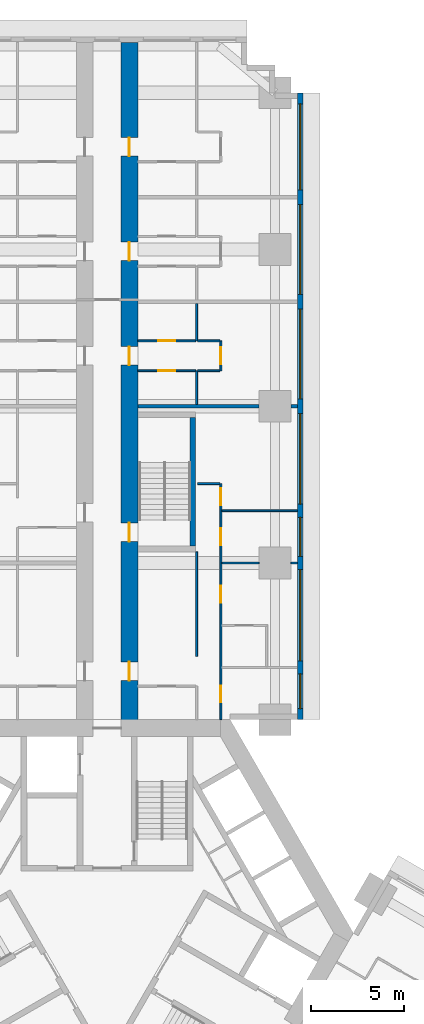
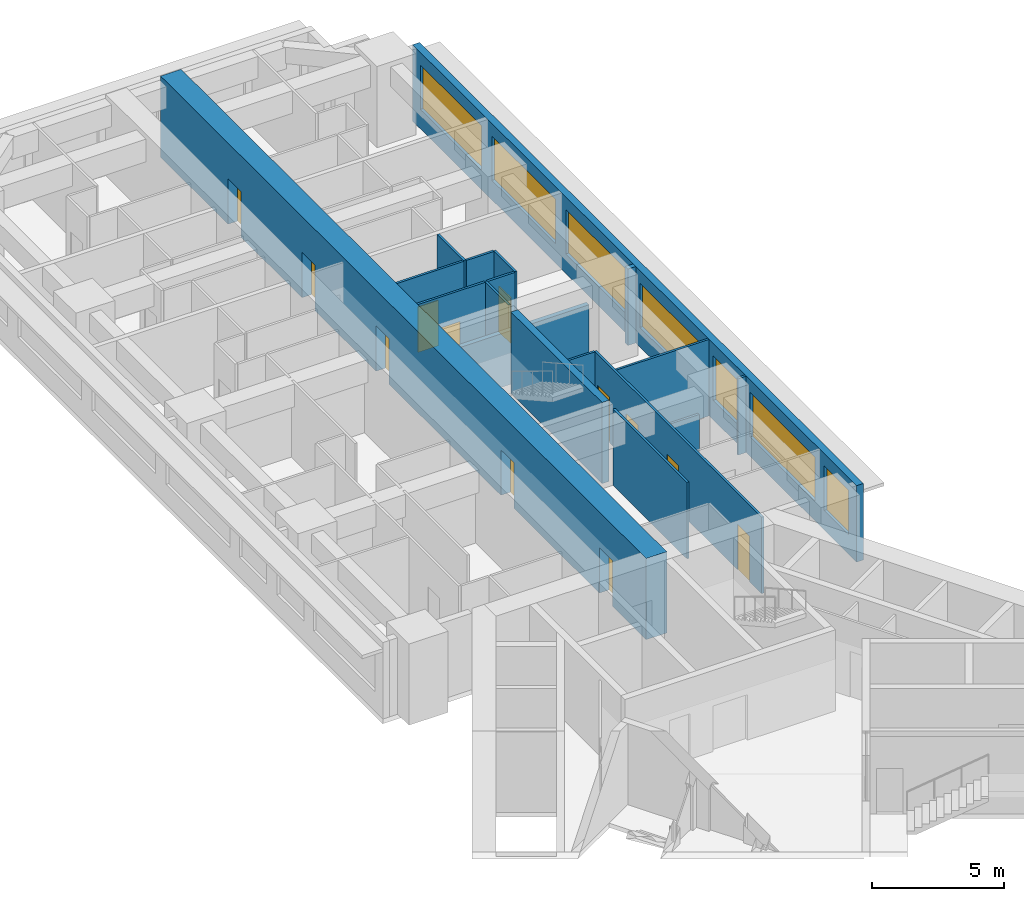
# One storey, part 10 of 16: 18 walls, 12 doors, 7 windows, 19 openings.
"""IFC4 building model written with IfcOpenShell, lengths in metres."""

from ifc_helpers import new_model, si_unit, direction, frame, frame_2d, origin, place, context, subcontext, project, spatial, rectangle, extrude, material, layer, layer_set, type_object, element, fill, save


model = new_model("IFC4")

# Units and contexts
model_context = context("Model", 3, precision=1e-05, world=origin(), true_north=direction((0.0, 1.0)))
body_context = subcontext(model_context, "Body", "Model", "MODEL_VIEW")
ifc_project = project(units=[si_unit("LENGTHUNIT", "METRE"), si_unit("AREAUNIT", "SQUARE_METRE"), si_unit("VOLUMEUNIT", "CUBIC_METRE"), si_unit("PLANEANGLEUNIT", "RADIAN"), si_unit("MASSUNIT", "GRAM", prefix="KILO")], contexts=[model_context])

# Site, building, storey
site_placement = place(None, origin())
site = spatial("IfcSite", under=ifc_project, at=site_placement, CompositionType="ELEMENT")
building_placement = place(site_placement, origin())
building = spatial("IfcBuilding", under=site, at=building_placement, Name="Impinga Residences", CompositionType="ELEMENT")
storey_placement = place(building_placement, frame((0.0, 0.0, 48.5)))
storey = spatial("IfcBuildingStorey", under=building, at=storey_placement, Name="L11", CompositionType="ELEMENT", Elevation=48.5)

# Wall, openings, doors
ifc_material_1 = material(Name="Concrete C70/85", Category="concrete")
ifc_layer_1 = layer(ifc_material_1, 0.89990234375)
ifc_layer_set_1 = layer_set([ifc_layer_1], Name="Concrete C70/85")
wall_type_1 = type_object("IfcWallType", Name="BW1 corridor buttress wall, L05 to L22 900", PredefinedType="SHEAR", material=ifc_layer_set_1)
wall_1_placement = place(storey_placement, frame((1.199951171875, 10.9814453125, 0.0), z_axis=(0.0, 0.0, 1.0), x_axis=(0.0, 1.0, 0.0)))
wall_1 = element("IfcWall", 1, at=wall_1_placement, inside=storey, type_object=wall_type_1, Name="Corridor wall BW1 ND L11", PredefinedType="SHEAR", context=body_context, shape_type="SweptSolid", body=[
    extrude(rectangle(XDim=36.75, YDim=0.89990234375, at=frame_2d((18.375, 0.0))), origin(), (0.0, 0.0, 1.0), 3.75),
])
opening_1_placement = place(wall_1_placement, frame((10.0, 0.0, 0.0)))
opening_1 = element("IfcOpeningElement", 2, at=opening_1_placement, cuts=wall_1, Name="Opening D5", PredefinedType="OPENING", context=body_context, shape_type="SweptSolid", body=[
    extrude(rectangle(XDim=1.0, YDim=2.10009765625, at=frame_2d((0.5, 1.050048828125))), frame((0.0, 0.4599609375, 0.0), z_axis=(0.0, -1.0, 0.0), x_axis=(1.0, 0.0, 0.0)), (0.0, 0.0, 1.0), 0.919921875),
])
opening_2_placement = place(wall_1_placement, frame((2.550048828125, 0.0, 0.0)))
opening_2 = element("IfcOpeningElement", 3, at=opening_2_placement, cuts=wall_1, Name="Opening D1", PredefinedType="OPENING", context=body_context, shape_type="SweptSolid", body=[
    extrude(rectangle(XDim=1.0, YDim=2.10009765625, at=frame_2d((0.5, 1.050048828125))), frame((0.0, 0.4599609375, 0.0), z_axis=(0.0, -1.0, 0.0), x_axis=(1.0, 0.0, 0.0)), (0.0, 0.0, 1.0), 0.919921875),
])
opening_3_placement = place(wall_1_placement, frame((19.449951171875, 0.0, 0.0)))
opening_3 = element("IfcOpeningElement", 4, at=opening_3_placement, cuts=wall_1, Name="Opening D1", PredefinedType="OPENING", context=body_context, shape_type="SweptSolid", body=[
    extrude(rectangle(XDim=1.0, YDim=2.10009765625, at=frame_2d((0.5, 1.050048828125))), frame((0.0, 0.4599609375, 0.0), z_axis=(0.0, -1.0, 0.0), x_axis=(1.0, 0.0, 0.0)), (0.0, 0.0, 1.0), 0.919921875),
])
opening_4_placement = place(wall_1_placement, frame((25.050048828125, 0.0, 0.0)))
opening_4 = element("IfcOpeningElement", 5, at=opening_4_placement, cuts=wall_1, Name="Opening D1", PredefinedType="OPENING", context=body_context, shape_type="SweptSolid", body=[
    extrude(rectangle(XDim=1.0, YDim=2.10009765625, at=frame_2d((0.5, 1.050048828125))), frame((0.0, 0.4599609375, 0.0), z_axis=(0.0, -1.0, 0.0), x_axis=(1.0, 0.0, 0.0)), (0.0, 0.0, 1.0), 0.919921875),
])
opening_5_placement = place(wall_1_placement, frame((30.64990234375, 0.0, 0.0)))
opening_5 = element("IfcOpeningElement", 6, at=opening_5_placement, cuts=wall_1, Name="Opening D1", PredefinedType="OPENING", context=body_context, shape_type="SweptSolid", body=[
    extrude(rectangle(XDim=1.0, YDim=2.10009765625, at=frame_2d((0.5, 1.050048828125))), frame((0.0, 0.4599609375, 0.0), z_axis=(0.0, -1.0, 0.0), x_axis=(1.0, 0.0, 0.0)), (0.0, 0.0, 1.0), 0.919921875),
])
ifc_material_2 = material(Name="Timber door set", Category="wood")
door_type_1 = type_object("IfcDoorType", Name="D1 apartment entrance door 1000x2100", OperationType="SINGLE_SWING_LEFT", PredefinedType="DOOR", material=ifc_material_2)
door_1_placement = place(opening_2_placement, origin())
door_1 = element("IfcDoor", 7, at=door_1_placement, inside=storey, type_object=door_type_1, Name="Apartment L11-NF1 entrance", OperationType="SINGLE_SWING_LEFT", OverallHeight=2.10009765625, OverallWidth=1.0, PredefinedType="DOOR", context=body_context, shape_type="SweptSolid", body=[
    extrude(rectangle(XDim=1.0, YDim=2.10009765625, at=frame_2d((0.5, 1.050048828125))), frame((0.0, 0.02490234375, 0.0), z_axis=(0.0, -1.0, 0.0), x_axis=(1.0, 0.0, 0.0)), (0.0, 0.0, 1.0), 0.050048828125),
])
fill(opening_2, door_1)
door_2_placement = place(opening_3_placement, origin())
door_2 = element("IfcDoor", 8, at=door_2_placement, inside=storey, type_object=door_type_1, Name="Apartment L11-NF2 entrance", OperationType="SINGLE_SWING_RIGHT", OverallHeight=2.10009765625, OverallWidth=1.0, PredefinedType="DOOR", context=body_context, shape_type="SweptSolid", body=[
    extrude(rectangle(XDim=1.0, YDim=2.10009765625, at=frame_2d((0.5, 1.050048828125))), frame((0.0, 0.02490234375, 0.0), z_axis=(0.0, -1.0, 0.0), x_axis=(1.0, 0.0, 0.0)), (0.0, 0.0, 1.0), 0.050048828125),
])
fill(opening_3, door_2)
door_3_placement = place(opening_4_placement, origin())
door_3 = element("IfcDoor", 9, at=door_3_placement, inside=storey, type_object=door_type_1, Name="Apartment L11-NF3 entrance", OperationType="SINGLE_SWING_RIGHT", OverallHeight=2.10009765625, OverallWidth=1.0, PredefinedType="DOOR", context=body_context, shape_type="SweptSolid", body=[
    extrude(rectangle(XDim=1.0, YDim=2.10009765625, at=frame_2d((0.5, 1.050048828125))), frame((0.0, 0.02490234375, 0.0), z_axis=(0.0, -1.0, 0.0), x_axis=(1.0, 0.0, 0.0)), (0.0, 0.0, 1.0), 0.050048828125),
])
fill(opening_4, door_3)
door_4_placement = place(opening_5_placement, origin())
door_4 = element("IfcDoor", 10, at=door_4_placement, inside=storey, type_object=door_type_1, Name="Apartment L11-NF4 entrance", OperationType="SINGLE_SWING_RIGHT", OverallHeight=2.10009765625, OverallWidth=1.0, PredefinedType="DOOR", context=body_context, shape_type="SweptSolid", body=[
    extrude(rectangle(XDim=1.0, YDim=2.10009765625, at=frame_2d((0.5, 1.050048828125))), frame((0.0, 0.02490234375, 0.0), z_axis=(0.0, -1.0, 0.0), x_axis=(1.0, 0.0, 0.0)), (0.0, 0.0, 1.0), 0.050048828125),
])
fill(opening_5, door_4)
door_type_2 = type_object("IfcDoorType", Name="D5 stair door 1000x2100", OperationType="SINGLE_SWING_LEFT", PredefinedType="DOOR", material=ifc_material_2)
door_5_placement = place(opening_1_placement, origin())
door_5 = element("IfcDoor", 11, at=door_5_placement, inside=storey, type_object=door_type_2, Name="Wing stair door N", OperationType="SINGLE_SWING_LEFT", OverallHeight=2.10009765625, OverallWidth=1.0, PredefinedType="DOOR", context=body_context, shape_type="SweptSolid", body=[
    extrude(rectangle(XDim=1.0, YDim=2.10009765625, at=frame_2d((0.5, 1.050048828125))), frame((0.0, 0.02490234375, 0.0), z_axis=(0.0, -1.0, 0.0), x_axis=(1.0, 0.0, 0.0)), (0.0, 0.0, 1.0), 0.050048828125),
])
fill(opening_1, door_5)

# Wall, openings, windows
ifc_material_3 = material(Name="Terracotta rainscreen on blockwork", Category="masonry")
ifc_layer_2 = layer(ifc_material_3, 0.300048828125)
ifc_layer_set_2 = layer_set([ifc_layer_2], Name="EW1 external wall, terracotta rainscreen on blockwork 300")
wall_type_2 = type_object("IfcWallType", Name="EW1 external wall, terracotta rainscreen on blockwork 300", PredefinedType="SOLIDWALL", material=ifc_layer_set_2)
wall_2_placement = place(storey_placement, frame((10.35009765625, 45.031494140625, 0.0), z_axis=(0.0, 0.0, 1.0), x_axis=(0.0, -1.0, 0.0)))
wall_2 = element("IfcWall", 12, at=wall_2_placement, inside=storey, type_object=wall_type_2, Name="External wall EW1 L11", PredefinedType="SOLIDWALL", context=body_context, shape_type="SweptSolid", body=[
    extrude(rectangle(XDim=33.599853515625, YDim=0.300048828125, at=frame_2d((16.7998046875, 0.0))), origin(), (0.0, 0.0, 1.0), 3.530029296875),
])
opening_6_placement = place(wall_2_placement, frame((0.60009765625, 0.0, 0.89990234375)))
opening_6 = element("IfcOpeningElement", 13, at=opening_6_placement, cuts=wall_2, Name="Opening W3", PredefinedType="OPENING", context=body_context, shape_type="SweptSolid", body=[
    extrude(rectangle(XDim=4.60009765625, YDim=2.050048828125, at=frame_2d((2.300048828125, 1.02490234375))), frame((0.0, 0.159912109375, 0.0), z_axis=(0.0, -1.0, 0.0), x_axis=(1.0, 0.0, 0.0)), (0.0, 0.0, 1.0), 0.320068359375),
])
opening_7_placement = place(wall_2_placement, frame((6.0, 0.0, 0.89990234375)))
opening_7 = element("IfcOpeningElement", 14, at=opening_7_placement, cuts=wall_2, Name="Opening W8", PredefinedType="OPENING", context=body_context, shape_type="SweptSolid", body=[
    extrude(rectangle(XDim=4.800048828125, YDim=2.050048828125, at=frame_2d((2.39990234375, 1.02490234375))), frame((0.0, 0.159912109375, 0.0), z_axis=(0.0, -1.0, 0.0), x_axis=(1.0, 0.0, 0.0)), (0.0, 0.0, 1.0), 0.320068359375),
])
opening_8_placement = place(wall_2_placement, frame((11.60009765625, 0.0, 0.89990234375)))
opening_8 = element("IfcOpeningElement", 15, at=opening_8_placement, cuts=wall_2, Name="Opening W8", PredefinedType="OPENING", context=body_context, shape_type="SweptSolid", body=[
    extrude(rectangle(XDim=4.800048828125, YDim=2.050048828125, at=frame_2d((2.39990234375, 1.02490234375))), frame((0.0, 0.159912109375, 0.0), z_axis=(0.0, -1.0, 0.0), x_axis=(1.0, 0.0, 0.0)), (0.0, 0.0, 1.0), 0.320068359375),
])
opening_9_placement = place(wall_2_placement, frame((17.199951171875, 0.0, 0.89990234375)))
opening_9 = element("IfcOpeningElement", 16, at=opening_9_placement, cuts=wall_2, Name="Opening W6", PredefinedType="OPENING", context=body_context, shape_type="SweptSolid", body=[
    extrude(rectangle(XDim=4.85009765625, YDim=2.050048828125, at=frame_2d((2.425048828125, 1.02490234375))), frame((0.0, 0.159912109375, 0.0), z_axis=(0.0, -1.0, 0.0), x_axis=(1.0, 0.0, 0.0)), (0.0, 0.0, 1.0), 0.320068359375),
])
opening_10_placement = place(wall_2_placement, frame((22.75, 0.0, 0.89990234375)))
opening_10 = element("IfcOpeningElement", 17, at=opening_10_placement, cuts=wall_2, Name="Opening W9", PredefinedType="OPENING", context=body_context, shape_type="SweptSolid", body=[
    extrude(rectangle(XDim=2.10009765625, YDim=2.050048828125, at=frame_2d((1.050048828125, 1.02490234375))), frame((0.0, 0.159912109375, 0.0), z_axis=(0.0, -1.0, 0.0), x_axis=(1.0, 0.0, 0.0)), (0.0, 0.0, 1.0), 0.320068359375),
])
opening_11_placement = place(wall_2_placement, frame((25.550048828125, 0.0, 0.89990234375)))
opening_11 = element("IfcOpeningElement", 18, at=opening_11_placement, cuts=wall_2, Name="Opening W16", PredefinedType="OPENING", context=body_context, shape_type="SweptSolid", body=[
    extrude(rectangle(XDim=4.89990234375, YDim=2.050048828125, at=frame_2d((2.449951171875, 1.02490234375))), frame((0.0, 0.159912109375, 0.0), z_axis=(0.0, -1.0, 0.0), x_axis=(1.0, 0.0, 0.0)), (0.0, 0.0, 1.0), 0.320068359375),
])
opening_12_placement = place(wall_2_placement, frame((31.14990234375, 0.0, 0.89990234375)))
opening_12 = element("IfcOpeningElement", 19, at=opening_12_placement, cuts=wall_2, Name="Opening W15", PredefinedType="OPENING", context=body_context, shape_type="SweptSolid", body=[
    extrude(rectangle(XDim=1.85009765625, YDim=2.050048828125, at=frame_2d((0.925048828125, 1.02490234375))), frame((0.0, 0.159912109375, 0.0), z_axis=(0.0, -1.0, 0.0), x_axis=(1.0, 0.0, 0.0)), (0.0, 0.0, 1.0), 0.320068359375),
])
ifc_material_4 = material(Name="Aluminium window, clear double glazing", Category="aluminium")
window_type_1 = type_object("IfcWindowType", Name="W15 ribbon window 1850x2050", PartitioningType="SINGLE_PANEL", PredefinedType="WINDOW", material=ifc_material_4)
window_1_placement = place(opening_12_placement, origin())
window_1 = element("IfcWindow", 20, at=window_1_placement, inside=storey, type_object=window_type_1, Name="Window L11", OverallHeight=2.050048828125, OverallWidth=1.85009765625, PartitioningType="SINGLE_PANEL", PredefinedType="WINDOW", context=body_context, shape_type="SweptSolid", body=[
    extrude(rectangle(XDim=1.85009765625, YDim=2.050048828125, at=frame_2d((0.925048828125, 1.02490234375))), frame((0.0, 0.030029296875, 0.0), z_axis=(0.0, -1.0, 0.0), x_axis=(1.0, 0.0, 0.0)), (0.0, 0.0, 1.0), 0.06005859375),
])
fill(opening_12, window_1)
window_type_2 = type_object("IfcWindowType", Name="W16 ribbon window 4900x2050", PartitioningType="SINGLE_PANEL", PredefinedType="WINDOW", material=ifc_material_4)
window_2_placement = place(opening_11_placement, origin())
window_2 = element("IfcWindow", 21, at=window_2_placement, inside=storey, type_object=window_type_2, Name="Window L11", OverallHeight=2.050048828125, OverallWidth=4.89990234375, PartitioningType="SINGLE_PANEL", PredefinedType="WINDOW", context=body_context, shape_type="SweptSolid", body=[
    extrude(rectangle(XDim=4.89990234375, YDim=2.050048828125, at=frame_2d((2.449951171875, 1.02490234375))), frame((0.0, 0.030029296875, 0.0), z_axis=(0.0, -1.0, 0.0), x_axis=(1.0, 0.0, 0.0)), (0.0, 0.0, 1.0), 0.06005859375),
])
fill(opening_11, window_2)
window_type_3 = type_object("IfcWindowType", Name="W3 ribbon window 4600x2050", PartitioningType="SINGLE_PANEL", PredefinedType="WINDOW", material=ifc_material_4)
window_3_placement = place(opening_6_placement, origin())
window_3 = element("IfcWindow", 22, at=window_3_placement, inside=storey, type_object=window_type_3, Name="Window L11", OverallHeight=2.050048828125, OverallWidth=4.60009765625, PartitioningType="SINGLE_PANEL", PredefinedType="WINDOW", context=body_context, shape_type="SweptSolid", body=[
    extrude(rectangle(XDim=4.60009765625, YDim=2.050048828125, at=frame_2d((2.300048828125, 1.02490234375))), frame((0.0, 0.030029296875, 0.0), z_axis=(0.0, -1.0, 0.0), x_axis=(1.0, 0.0, 0.0)), (0.0, 0.0, 1.0), 0.06005859375),
])
fill(opening_6, window_3)
window_type_4 = type_object("IfcWindowType", Name="W6 ribbon window 4850x2050", PartitioningType="SINGLE_PANEL", PredefinedType="WINDOW", material=ifc_material_4)
window_4_placement = place(opening_9_placement, origin())
window_4 = element("IfcWindow", 23, at=window_4_placement, inside=storey, type_object=window_type_4, Name="Window L11", OverallHeight=2.050048828125, OverallWidth=4.85009765625, PartitioningType="SINGLE_PANEL", PredefinedType="WINDOW", context=body_context, shape_type="SweptSolid", body=[
    extrude(rectangle(XDim=4.85009765625, YDim=2.050048828125, at=frame_2d((2.425048828125, 1.02490234375))), frame((0.0, 0.030029296875, 0.0), z_axis=(0.0, -1.0, 0.0), x_axis=(1.0, 0.0, 0.0)), (0.0, 0.0, 1.0), 0.06005859375),
])
fill(opening_9, window_4)
window_type_5 = type_object("IfcWindowType", Name="W8 ribbon window 4800x2050", PartitioningType="SINGLE_PANEL", PredefinedType="WINDOW", material=ifc_material_4)
window_5_placement = place(opening_7_placement, origin())
window_5 = element("IfcWindow", 24, at=window_5_placement, inside=storey, type_object=window_type_5, Name="Window L11", OverallHeight=2.050048828125, OverallWidth=4.800048828125, PartitioningType="SINGLE_PANEL", PredefinedType="WINDOW", context=body_context, shape_type="SweptSolid", body=[
    extrude(rectangle(XDim=4.800048828125, YDim=2.050048828125, at=frame_2d((2.39990234375, 1.02490234375))), frame((0.0, 0.030029296875, 0.0), z_axis=(0.0, -1.0, 0.0), x_axis=(1.0, 0.0, 0.0)), (0.0, 0.0, 1.0), 0.06005859375),
])
fill(opening_7, window_5)
window_6_placement = place(opening_8_placement, origin())
window_6 = element("IfcWindow", 25, at=window_6_placement, inside=storey, type_object=window_type_5, Name="Window L11", OverallHeight=2.050048828125, OverallWidth=4.800048828125, PartitioningType="SINGLE_PANEL", PredefinedType="WINDOW", context=body_context, shape_type="SweptSolid", body=[
    extrude(rectangle(XDim=4.800048828125, YDim=2.050048828125, at=frame_2d((2.39990234375, 1.02490234375))), frame((0.0, 0.030029296875, 0.0), z_axis=(0.0, -1.0, 0.0), x_axis=(1.0, 0.0, 0.0)), (0.0, 0.0, 1.0), 0.06005859375),
])
fill(opening_8, window_6)
window_type_6 = type_object("IfcWindowType", Name="W9 ribbon window 2100x2050", PartitioningType="SINGLE_PANEL", PredefinedType="WINDOW", material=ifc_material_4)
window_7_placement = place(opening_10_placement, origin())
window_7 = element("IfcWindow", 26, at=window_7_placement, inside=storey, type_object=window_type_6, Name="Window L11", OverallHeight=2.050048828125, OverallWidth=2.10009765625, PartitioningType="SINGLE_PANEL", PredefinedType="WINDOW", context=body_context, shape_type="SweptSolid", body=[
    extrude(rectangle(XDim=2.10009765625, YDim=2.050048828125, at=frame_2d((1.050048828125, 1.02490234375))), frame((0.0, 0.030029296875, 0.0), z_axis=(0.0, -1.0, 0.0), x_axis=(1.0, 0.0, 0.0)), (0.0, 0.0, 1.0), 0.06005859375),
])
fill(opening_10, window_7)

# Wall
ifc_material_5 = material(Name="Gypsum board on steel studs", Category="steel")
ifc_layer_3 = layer(ifc_material_5, 0.10009765625)
ifc_layer_set_3 = layer_set([ifc_layer_3], Name="Gypsum board on steel studs")
wall_type_3 = type_object("IfcWallType", Name="IP1 partition 100", PredefinedType="PARTITIONING", material=ifc_layer_set_3)
wall_3_placement = place(storey_placement, frame((4.800048828125, 14.83154296875, 0.0), z_axis=(0.0, 0.0, 1.0), x_axis=(0.0, 1.0, 0.0)))
element("IfcWall", 27, at=wall_3_placement, inside=storey, type_object=wall_type_3, Name="Partition L11-NF1:DIV1", PredefinedType="PARTITIONING", context=body_context, shape_type="SweptSolid", body=[
    extrude(rectangle(XDim=5.60009765625, YDim=0.10009765625, at=frame_2d((2.800048828125, 0.0))), origin(), (0.0, 0.0, 1.0), 3.530029296875),
])

# Wall, openings, doors
wall_4_placement = place(storey_placement, frame((6.10009765625, 11.431640625, 0.0), z_axis=(0.0, 0.0, 1.0), x_axis=(0.0, 1.0, 0.0)))
wall_4 = element("IfcWall", 28, at=wall_4_placement, inside=storey, type_object=wall_type_3, Name="Partition L11-NF1:STRIP", PredefinedType="PARTITIONING", context=body_context, shape_type="SweptSolid", body=[
    extrude(rectangle(XDim=12.64990234375, YDim=0.10009765625, at=frame_2d((6.324951171875, 0.0))), origin(), (0.0, 0.0, 1.0), 3.530029296875),
])
opening_13_placement = place(wall_4_placement, frame((0.925048828125, 0.0, 0.0)))
opening_13 = element("IfcOpeningElement", 29, at=opening_13_placement, cuts=wall_4, Name="Opening D2", PredefinedType="OPENING", context=body_context, shape_type="SweptSolid", body=[
    extrude(rectangle(XDim=0.89990234375, YDim=2.10009765625, at=frame_2d((0.449951171875, 1.050048828125))), frame((0.0, 0.06005859375, 0.0), z_axis=(0.0, -1.0, 0.0), x_axis=(1.0, 0.0, 0.0)), (0.0, 0.0, 1.0), 0.1201171875),
])
opening_14_placement = place(wall_4_placement, frame((6.27490234375, 0.0, 0.0)))
opening_14 = element("IfcOpeningElement", 30, at=opening_14_placement, cuts=wall_4, Name="Opening D2", PredefinedType="OPENING", context=body_context, shape_type="SweptSolid", body=[
    extrude(rectangle(XDim=0.89990234375, YDim=2.10009765625, at=frame_2d((0.449951171875, 1.050048828125))), frame((0.0, 0.06005859375, 0.0), z_axis=(0.0, -1.0, 0.0), x_axis=(1.0, 0.0, 0.0)), (0.0, 0.0, 1.0), 0.1201171875),
])
opening_15_placement = place(wall_4_placement, frame((9.35009765625, 0.0, 0.0)))
opening_15 = element("IfcOpeningElement", 31, at=opening_15_placement, cuts=wall_4, Name="Opening D2", PredefinedType="OPENING", context=body_context, shape_type="SweptSolid", body=[
    extrude(rectangle(XDim=0.89990234375, YDim=2.10009765625, at=frame_2d((0.449951171875, 1.050048828125))), frame((0.0, 0.06005859375, 0.0), z_axis=(0.0, -1.0, 0.0), x_axis=(1.0, 0.0, 0.0)), (0.0, 0.0, 1.0), 0.1201171875),
])
opening_16_placement = place(wall_4_placement, frame((11.5, 0.0, 0.0)))
opening_16 = element("IfcOpeningElement", 32, at=opening_16_placement, cuts=wall_4, Name="Opening D2", PredefinedType="OPENING", context=body_context, shape_type="SweptSolid", body=[
    extrude(rectangle(XDim=0.89990234375, YDim=2.10009765625, at=frame_2d((0.449951171875, 1.050048828125))), frame((0.0, 0.06005859375, 0.0), z_axis=(0.0, -1.0, 0.0), x_axis=(1.0, 0.0, 0.0)), (0.0, 0.0, 1.0), 0.1201171875),
])
door_type_3 = type_object("IfcDoorType", Name="D2 internal door 900x2100", OperationType="SINGLE_SWING_LEFT", PredefinedType="DOOR", material=ifc_material_2)
door_6_placement = place(opening_13_placement, origin())
door_6 = element("IfcDoor", 33, at=door_6_placement, inside=storey, type_object=door_type_3, Name="Apartment L11-NF1 room door", OperationType="SINGLE_SWING_LEFT", OverallHeight=2.10009765625, OverallWidth=0.89990234375, PredefinedType="DOOR", context=body_context, shape_type="SweptSolid", body=[
    extrude(rectangle(XDim=0.89990234375, YDim=2.10009765625, at=frame_2d((0.449951171875, 1.050048828125))), frame((0.0, 0.02490234375, 0.0), z_axis=(0.0, -1.0, 0.0), x_axis=(1.0, 0.0, 0.0)), (0.0, 0.0, 1.0), 0.050048828125),
])
fill(opening_13, door_6)
door_7_placement = place(opening_14_placement, origin())
door_7 = element("IfcDoor", 34, at=door_7_placement, inside=storey, type_object=door_type_3, Name="Apartment L11-NF1 room door", OperationType="SINGLE_SWING_RIGHT", OverallHeight=2.10009765625, OverallWidth=0.89990234375, PredefinedType="DOOR", context=body_context, shape_type="SweptSolid", body=[
    extrude(rectangle(XDim=0.89990234375, YDim=2.10009765625, at=frame_2d((0.449951171875, 1.050048828125))), frame((0.0, 0.02490234375, 0.0), z_axis=(0.0, -1.0, 0.0), x_axis=(1.0, 0.0, 0.0)), (0.0, 0.0, 1.0), 0.050048828125),
])
fill(opening_14, door_7)
door_8_placement = place(opening_15_placement, origin())
door_8 = element("IfcDoor", 35, at=door_8_placement, inside=storey, type_object=door_type_3, Name="Apartment L11-NF1 room door", OperationType="SINGLE_SWING_RIGHT", OverallHeight=2.10009765625, OverallWidth=0.89990234375, PredefinedType="DOOR", context=body_context, shape_type="SweptSolid", body=[
    extrude(rectangle(XDim=0.89990234375, YDim=2.10009765625, at=frame_2d((0.449951171875, 1.050048828125))), frame((0.0, 0.02490234375, 0.0), z_axis=(0.0, -1.0, 0.0), x_axis=(1.0, 0.0, 0.0)), (0.0, 0.0, 1.0), 0.050048828125),
])
fill(opening_15, door_8)
door_9_placement = place(opening_16_placement, origin())
door_9 = element("IfcDoor", 36, at=door_9_placement, inside=storey, type_object=door_type_3, Name="Apartment L11-NF1 room door", OperationType="SINGLE_SWING_RIGHT", OverallHeight=2.10009765625, OverallWidth=0.89990234375, PredefinedType="DOOR", context=body_context, shape_type="SweptSolid", body=[
    extrude(rectangle(XDim=0.89990234375, YDim=2.10009765625, at=frame_2d((0.449951171875, 1.050048828125))), frame((0.0, 0.02490234375, 0.0), z_axis=(0.0, -1.0, 0.0), x_axis=(1.0, 0.0, 0.0)), (0.0, 0.0, 1.0), 0.050048828125),
])
fill(opening_16, door_9)

# Walls
wall_5_placement = place(storey_placement, frame((4.85009765625, 24.08154296875, 0.0), z_axis=(0.0, 0.0, 1.0), x_axis=(1.0, 0.0, 0.0)))
element("IfcWall", 37, at=wall_5_placement, inside=storey, type_object=wall_type_3, Name="Partition L11-NF1:SE1", PredefinedType="PARTITIONING", context=body_context, shape_type="SweptSolid", body=[
    extrude(rectangle(XDim=1.199951171875, YDim=0.10009765625, at=frame_2d((0.60009765625, 0.0))), origin(), (0.0, 0.0, 1.0), 3.530029296875),
])
wall_6_placement = place(storey_placement, frame((6.14990234375, 19.83154296875, 0.0), z_axis=(0.0, 0.0, 1.0), x_axis=(1.0, 0.0, 0.0)))
element("IfcWall", 38, at=wall_6_placement, inside=storey, type_object=wall_type_3, Name="Partition L11-NF1:OB2", PredefinedType="PARTITIONING", context=body_context, shape_type="SweptSolid", body=[
    extrude(rectangle(XDim=2.0, YDim=0.10009765625, at=frame_2d((1.0, 0.0))), origin(), (0.0, 0.0, 1.0), 2.47998046875),
])
wall_7_placement = place(storey_placement, frame((9.85009765625, 19.83154296875, 0.0), z_axis=(0.0, 0.0, 1.0), x_axis=(1.0, 0.0, 0.0)))
element("IfcWall", 39, at=wall_7_placement, inside=storey, type_object=wall_type_3, Name="Partition L11-NF1:OB2b", PredefinedType="PARTITIONING", context=body_context, shape_type="SweptSolid", body=[
    extrude(rectangle(XDim=0.349853515625, YDim=0.10009765625, at=frame_2d((0.1748046875, 0.0))), origin(), (0.0, 0.0, 1.0), 3.530029296875),
])
wall_8_placement = place(storey_placement, frame((6.14990234375, 22.631591796875, 0.0), z_axis=(0.0, 0.0, 1.0), x_axis=(1.0, 0.0, 0.0)))
element("IfcWall", 40, at=wall_8_placement, inside=storey, type_object=wall_type_3, Name="Partition L11-NF1:OB3", PredefinedType="PARTITIONING", context=body_context, shape_type="SweptSolid", body=[
    extrude(rectangle(XDim=4.050048828125, YDim=0.10009765625, at=frame_2d((2.02490234375, 0.0))), origin(), (0.0, 0.0, 1.0), 3.530029296875),
])
wall_9_placement = place(storey_placement, frame((4.800048828125, 28.33154296875, 0.0), z_axis=(0.0, 0.0, 1.0), x_axis=(0.0, 1.0, 0.0)))
element("IfcWall", 41, at=wall_9_placement, inside=storey, type_object=wall_type_3, Name="Partition L11-NF2:DIV0", PredefinedType="PARTITIONING", context=body_context, shape_type="SweptSolid", body=[
    extrude(rectangle(XDim=1.800048828125, YDim=0.10009765625, at=frame_2d((0.89990234375, 0.0))), origin(), (0.0, 0.0, 1.0), 3.530029296875),
])
wall_10_placement = place(storey_placement, frame((4.800048828125, 31.7314453125, 0.0), z_axis=(0.0, 0.0, 1.0), x_axis=(0.0, 1.0, 0.0)))
element("IfcWall", 42, at=wall_10_placement, inside=storey, type_object=wall_type_3, Name="Partition L11-NF2:DIV1", PredefinedType="PARTITIONING", context=body_context, shape_type="SweptSolid", body=[
    extrude(rectangle(XDim=2.0, YDim=0.10009765625, at=frame_2d((1.0, 0.0))), origin(), (0.0, 0.0, 1.0), 3.530029296875),
])

# Wall, opening, door
wall_11_placement = place(storey_placement, frame((6.10009765625, 30.131591796875, 0.0), z_axis=(0.0, 0.0, 1.0), x_axis=(0.0, 1.0, 0.0)))
wall_11 = element("IfcWall", 43, at=wall_11_placement, inside=storey, type_object=wall_type_3, Name="Partition L11-NF2:STRIP", PredefinedType="PARTITIONING", context=body_context, shape_type="SweptSolid", body=[
    extrude(rectangle(XDim=1.599853515625, YDim=0.10009765625, at=frame_2d((0.7998046875, 0.0))), origin(), (0.0, 0.0, 1.0), 3.530029296875),
])
opening_17_placement = place(wall_11_placement, frame((0.35009765625, 0.0, 0.0)))
opening_17 = element("IfcOpeningElement", 44, at=opening_17_placement, cuts=wall_11, Name="Opening D2", PredefinedType="OPENING", context=body_context, shape_type="SweptSolid", body=[
    extrude(rectangle(XDim=0.89990234375, YDim=2.10009765625, at=frame_2d((0.449951171875, 1.050048828125))), frame((0.0, 0.06005859375, 0.0), z_axis=(0.0, -1.0, 0.0), x_axis=(1.0, 0.0, 0.0)), (0.0, 0.0, 1.0), 0.1201171875),
])
door_10_placement = place(opening_17_placement, origin())
door_10 = element("IfcDoor", 45, at=door_10_placement, inside=storey, type_object=door_type_3, Name="Apartment L11-NF2 room door", OperationType="SINGLE_SWING_LEFT", OverallHeight=2.10009765625, OverallWidth=0.89990234375, PredefinedType="DOOR", context=body_context, shape_type="SweptSolid", body=[
    extrude(rectangle(XDim=0.89990234375, YDim=2.10009765625, at=frame_2d((0.449951171875, 1.050048828125))), frame((0.0, 0.02490234375, 0.0), z_axis=(0.0, -1.0, 0.0), x_axis=(1.0, 0.0, 0.0)), (0.0, 0.0, 1.0), 0.050048828125),
])
fill(opening_17, door_10)

# Walls
for number, where, z_axis, x_axis, name in (
    (46, (4.85009765625, 30.131591796875, 0.0), (0.0, 0.0, 1.0), (1.0, 0.0, 0.0), "Partition L11-NF2:SE0"),
    (47, (4.85009765625, 31.7314453125, 0.0), (0.0, 0.0, 1.0), (1.0, 0.0, 0.0), "Partition L11-NF2:SE1"),
):
    element("IfcWall", number, at=place(storey_placement, frame(where, z_axis=z_axis, x_axis=x_axis)), inside=storey, type_object=wall_type_3, Name=name, PredefinedType="PARTITIONING", context=body_context, shape_type="SweptSolid", body=[
        extrude(rectangle(XDim=1.199951171875, YDim=0.10009765625, at=frame_2d((0.60009765625, 0.0))), origin(), (0.0, 0.0, 1.0), 3.530029296875),
    ])

# Wall, opening, door
wall_12_placement = place(storey_placement, frame((1.64990234375, 30.131591796875, 0.0), z_axis=(0.0, 0.0, 1.0), x_axis=(1.0, 0.0, 0.0)))
wall_12 = element("IfcWall", 48, at=wall_12_placement, inside=storey, type_object=wall_type_3, Name="Partition L11-NF2:IB1", PredefinedType="PARTITIONING", context=body_context, shape_type="SweptSolid", body=[
    extrude(rectangle(XDim=3.10009765625, YDim=0.10009765625, at=frame_2d((1.550048828125, 0.0))), origin(), (0.0, 0.0, 1.0), 3.530029296875),
])
opening_18_placement = place(wall_12_placement, frame((1.10009765625, 0.0, 0.0)))
opening_18 = element("IfcOpeningElement", 49, at=opening_18_placement, cuts=wall_12, Name="Opening D2", PredefinedType="OPENING", context=body_context, shape_type="SweptSolid", body=[
    extrude(rectangle(XDim=0.89990234375, YDim=2.10009765625, at=frame_2d((0.449951171875, 1.050048828125))), frame((0.0, 0.06005859375, 0.0), z_axis=(0.0, -1.0, 0.0), x_axis=(1.0, 0.0, 0.0)), (0.0, 0.0, 1.0), 0.1201171875),
])
door_11_placement = place(opening_18_placement, origin())
door_11 = element("IfcDoor", 50, at=door_11_placement, inside=storey, type_object=door_type_3, Name="Apartment L11-NF2 bathroom door", OperationType="SINGLE_SWING_LEFT", OverallHeight=2.10009765625, OverallWidth=0.89990234375, PredefinedType="DOOR", context=body_context, shape_type="SweptSolid", body=[
    extrude(rectangle(XDim=0.89990234375, YDim=2.10009765625, at=frame_2d((0.449951171875, 1.050048828125))), frame((0.0, 0.02490234375, 0.0), z_axis=(0.0, -1.0, 0.0), x_axis=(1.0, 0.0, 0.0)), (0.0, 0.0, 1.0), 0.050048828125),
])
fill(opening_18, door_11)

wall_13_placement = place(storey_placement, frame((1.64990234375, 31.7314453125, 0.0), z_axis=(0.0, 0.0, 1.0), x_axis=(1.0, 0.0, 0.0)))
wall_13 = element("IfcWall", 51, at=wall_13_placement, inside=storey, type_object=wall_type_3, Name="Partition L11-NF2:IB2", PredefinedType="PARTITIONING", context=body_context, shape_type="SweptSolid", body=[
    extrude(rectangle(XDim=3.10009765625, YDim=0.10009765625, at=frame_2d((1.550048828125, 0.0))), origin(), (0.0, 0.0, 1.0), 3.530029296875),
])
opening_19_placement = place(wall_13_placement, frame((1.10009765625, 0.0, 0.0)))
opening_19 = element("IfcOpeningElement", 52, at=opening_19_placement, cuts=wall_13, Name="Opening D2", PredefinedType="OPENING", context=body_context, shape_type="SweptSolid", body=[
    extrude(rectangle(XDim=0.89990234375, YDim=2.10009765625, at=frame_2d((0.449951171875, 1.050048828125))), frame((0.0, 0.06005859375, 0.0), z_axis=(0.0, -1.0, 0.0), x_axis=(1.0, 0.0, 0.0)), (0.0, 0.0, 1.0), 0.1201171875),
])
door_12_placement = place(opening_19_placement, origin())
door_12 = element("IfcDoor", 53, at=door_12_placement, inside=storey, type_object=door_type_3, Name="Apartment L11-NF2 WC door", OperationType="SINGLE_SWING_LEFT", OverallHeight=2.10009765625, OverallWidth=0.89990234375, PredefinedType="DOOR", context=body_context, shape_type="SweptSolid", body=[
    extrude(rectangle(XDim=0.89990234375, YDim=2.10009765625, at=frame_2d((0.449951171875, 1.050048828125))), frame((0.0, 0.02490234375, 0.0), z_axis=(0.0, -1.0, 0.0), x_axis=(1.0, 0.0, 0.0)), (0.0, 0.0, 1.0), 0.050048828125),
])
fill(opening_19, door_12)

# Walls
ifc_material_6 = material(Name="Concrete blockwork", Category="masonry")
ifc_layer_4 = layer(ifc_material_6, 0.199951171875)
ifc_layer_set_4 = layer_set([ifc_layer_4], Name="PW1 party wall between apartments 200")
wall_type_4 = type_object("IfcWallType", Name="PW1 party wall between apartments 200", PredefinedType="SOLIDWALL", material=ifc_layer_set_4)
wall_14_placement = place(storey_placement, frame((1.64990234375, 28.2314453125, 0.0), z_axis=(0.0, 0.0, 1.0), x_axis=(1.0, 0.0, 0.0)))
element("IfcWall", 54, at=wall_14_placement, inside=storey, type_object=wall_type_4, Name="Party wall between apartments L11-NF1:PARTY", PredefinedType="SOLIDWALL", context=body_context, shape_type="SweptSolid", body=[
    extrude(rectangle(XDim=6.5, YDim=0.199951171875, at=frame_2d((3.25, 0.0))), origin(), (0.0, 0.0, 1.0), 2.47998046875),
])
wall_15_placement = place(storey_placement, frame((9.85009765625, 28.2314453125, 0.0), z_axis=(0.0, 0.0, 1.0), x_axis=(1.0, 0.0, 0.0)))
element("IfcWall", 55, at=wall_15_placement, inside=storey, type_object=wall_type_4, Name="Party wall between apartments L11-NF1:PARTYb", PredefinedType="SOLIDWALL", context=body_context, shape_type="SweptSolid", body=[
    extrude(rectangle(XDim=0.349853515625, YDim=0.199951171875, at=frame_2d((0.1748046875, 0.0))), origin(), (0.0, 0.0, 1.0), 3.530029296875),
])
ifc_material_7 = material(Name="Concrete C60/75", Category="concrete")
ifc_layer_5 = layer(ifc_material_7, 0.300048828125)
ifc_layer_set_5 = layer_set([ifc_layer_5], Name="Concrete C60/75")
wall_type_5 = type_object("IfcWallType", Name="SE1 wing stair enclosure wall 300", PredefinedType="SOLIDWALL", material=ifc_layer_set_5)
wall_16_placement = place(storey_placement, frame((4.60009765625, 20.7314453125, 0.0), z_axis=(0.0, 0.0, 1.0), x_axis=(0.0, 1.0, 0.0)))
element("IfcWall", 56, at=wall_16_placement, inside=storey, type_object=wall_type_5, Name="Stair enclosure wall SE1 N OUT L11", PredefinedType="SOLIDWALL", context=body_context, shape_type="SweptSolid", body=[
    extrude(rectangle(XDim=6.900146484375, YDim=0.300048828125, at=frame_2d((3.4501953125, 0.0))), origin(), (0.0, 0.0, 1.0), 3.75),
])

save(model, "model.ifc")
